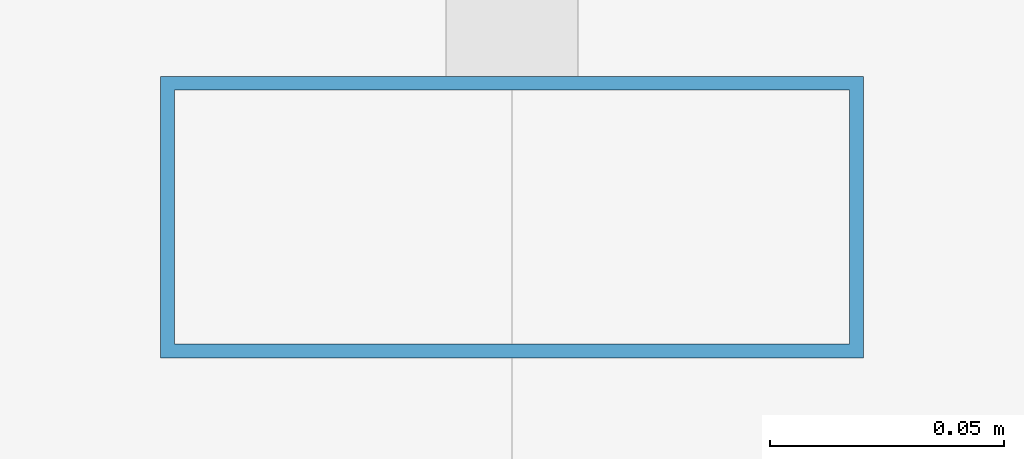
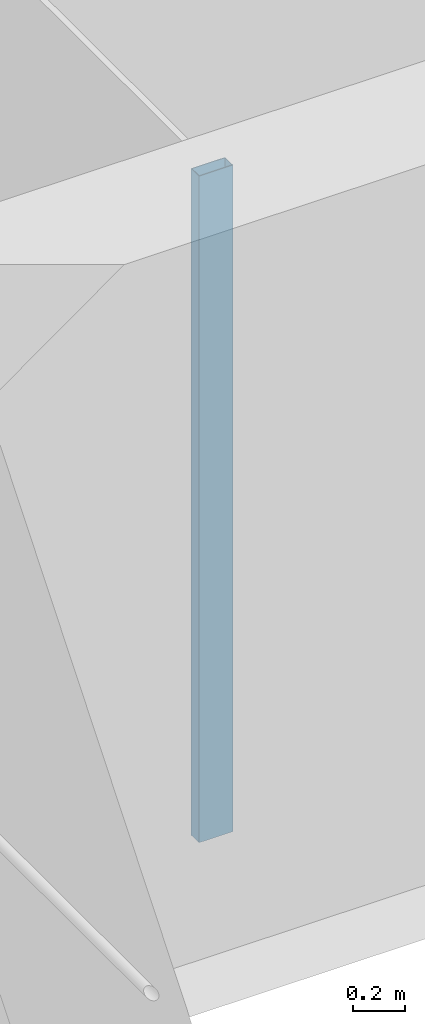
# One storey, part 11 of 40: 1 member, 1 element without a shape of its own.
"""IFC4 building model written with IfcOpenShell, lengths in metres."""

from ifc_helpers import new_model, si_unit, direction, frame, origin, origin_2d, place, context, subcontext, project, spatial, hollow_rectangle, extrude, material, material_profile, profile_set, type_object, element, aggregate, save


model = new_model("IFC4")

# Units and contexts
model_context = context("Model", 3, precision=1e-05, world=origin(), true_north=direction((0.0, 1.0)))
body_context = subcontext(model_context, "Body", "Model", "MODEL_VIEW")
ifc_project = project(units=[si_unit("LENGTHUNIT", "METRE"), si_unit("AREAUNIT", "SQUARE_METRE"), si_unit("VOLUMEUNIT", "CUBIC_METRE"), si_unit("PLANEANGLEUNIT", "RADIAN"), si_unit("MASSUNIT", "GRAM", prefix="KILO")], contexts=[model_context])

# Site, building, storey
site_placement = place(None, origin())
site = spatial("IfcSite", under=ifc_project, at=site_placement, CompositionType="ELEMENT")
building_placement = place(site_placement, origin())
building = spatial("IfcBuilding", under=site, at=building_placement, Name="Altepetl Exchange Towers", CompositionType="ELEMENT")
storey_placement = place(building_placement, frame((0.0, 0.0, 165.39990234375)))
storey = spatial("IfcBuildingStorey", under=building, at=storey_placement, Name="L41", CompositionType="ELEMENT", Elevation=165.39990234375)

# Curtain wall, member
ifc_material_1 = material(Name="Aluminium 6063-T6 glazing", Category="aluminium")
curtain_wall_type = type_object("IfcCurtainWallType", Name="Loggia glazing system", PredefinedType="NOTDEFINED", material=ifc_material_1)
curtain_wall_placement = place(storey_placement, origin())
curtain_wall = element("IfcCurtainWall", 1, at=curtain_wall_placement, inside=storey, type_object=curtain_wall_type, Name="CW1 run", PredefinedType="NOTDEFINED")
ifc_material_2 = material(Name="Aluminium 6063-T6", Category="aluminium")
ifc_material_profile = material_profile(ifc_material_2, hollow_rectangle(XDim=0.06005859375, YDim=0.14990234375, WallThickness=0.0029296875, at=origin_2d()), Name="Mullion 60x150 aluminium")
ifc_profile_set = profile_set([ifc_material_profile], Name="Aluminium 6063-T6")
member_type = type_object("IfcMemberType", Name="Mullion 60x150 aluminium", PredefinedType="MULLION", material=ifc_profile_set)
member_placement = place(storey_placement, frame((42.5, 58.60498046875, 0.0), z_axis=(0.0, 0.0, 1.0), x_axis=(0.0, -1.0, 0.0)))
member = element("IfcMember", 2, at=member_placement, type_object=member_type, Name="MU1 mullion", PredefinedType="MULLION", context=body_context, shape_type="SweptSolid", body=[
    extrude(hollow_rectangle(XDim=0.06005859375, YDim=0.14990234375, WallThickness=0.0029296875, at=origin_2d()), origin(), (0.0, 0.0, 1.0), 3.10009765625),
])
aggregate(curtain_wall, [member])

save(model, "model.ifc")
